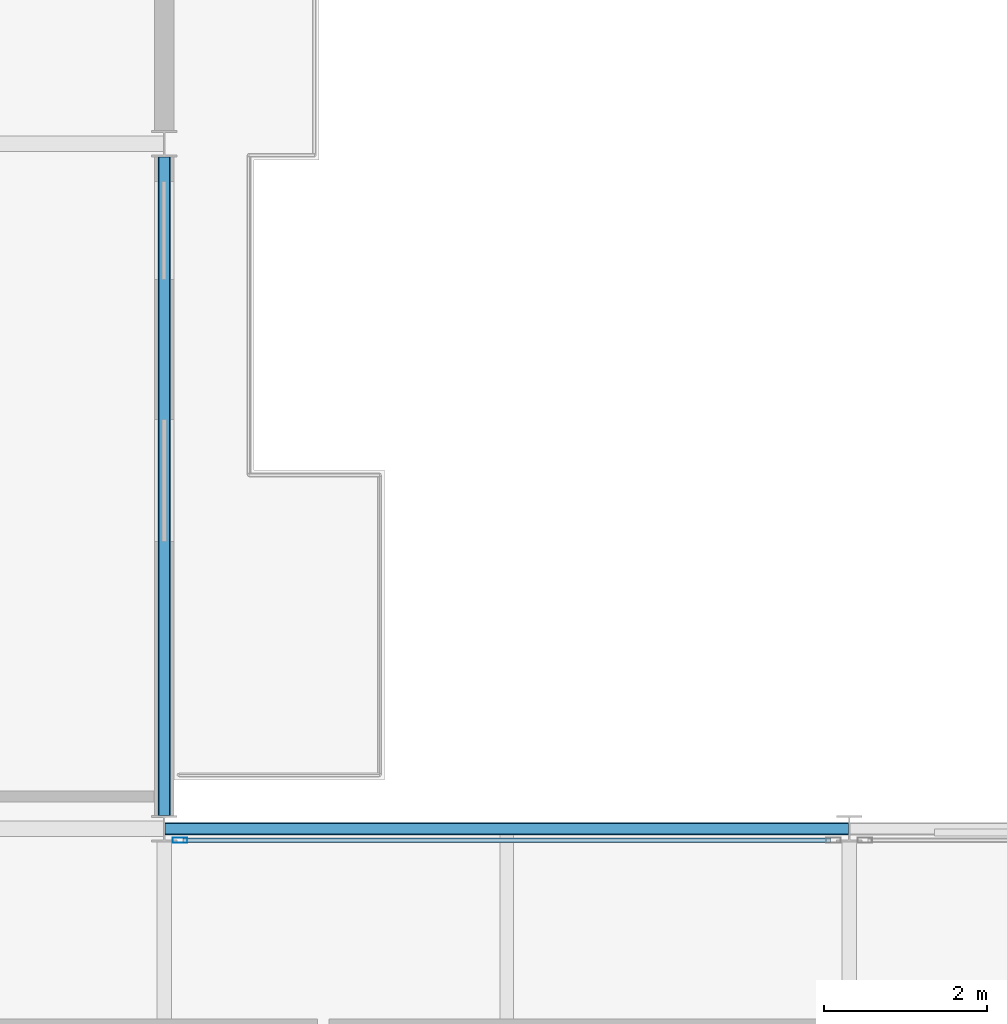
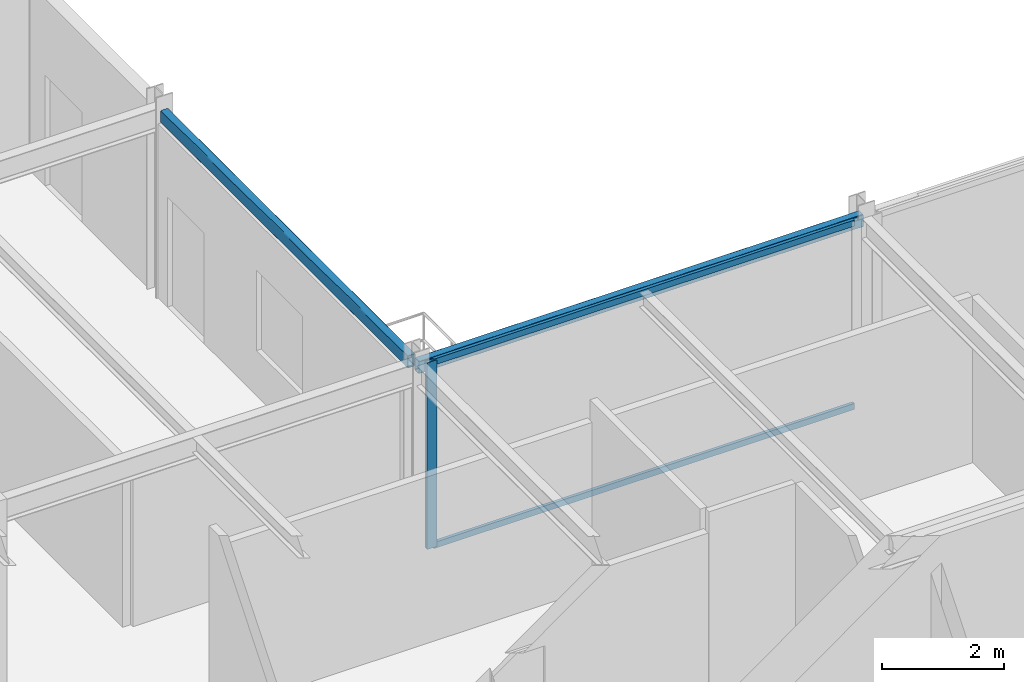
# One storey, part 13 of 26: 3 members, 2 beams, 1 element without a shape of its own.
"""IFC4 building model written with IfcOpenShell, lengths in metres."""

from ifc_helpers import new_model, si_unit, direction, frame, origin, origin_2d, place, context, subcontext, project, spatial, hollow_rectangle, extrude, material, layer, layer_set, material_profile, profile_set, type_object, element, aggregate, save


model = new_model("IFC4")

# Units and contexts
model_context = context("Model", 3, precision=1e-05, world=origin(), true_north=direction((0.0, 1.0)))
body_context = subcontext(model_context, "Body", "Model", "MODEL_VIEW")
ifc_project = project(units=[si_unit("LENGTHUNIT", "METRE"), si_unit("AREAUNIT", "SQUARE_METRE"), si_unit("VOLUMEUNIT", "CUBIC_METRE"), si_unit("PLANEANGLEUNIT", "RADIAN"), si_unit("MASSUNIT", "GRAM", prefix="KILO")], contexts=[model_context])

# Site, building, storey
site_placement = place(None, origin())
site = spatial("IfcSite", under=ifc_project, at=site_placement, CompositionType="ELEMENT")
building_placement = place(site_placement, origin())
building = spatial("IfcBuilding", under=site, at=building_placement, Name="Nerrivon Quay Data Exchange", CompositionType="ELEMENT")
storey_placement = place(building_placement, frame((0.0, 0.0, 262.199951171875)))
storey = spatial("IfcBuildingStorey", under=building, at=storey_placement, Name="L62", CompositionType="ELEMENT", Elevation=262.199951171875)

# Beams
ifc_material_1 = material(Name="Steel Grade C350L0 (350 MPa)", Category="steel")
ifc_material_profile_1 = material_profile(ifc_material_1, hollow_rectangle(XDim=0.14990234375, YDim=0.25, WallThickness=0.009033203125, InnerFilletRadius=0.013427734375, OuterFilletRadius=0.0224609375, at=origin_2d()), Name="250x150x9.0RHS")
ifc_profile_set_1 = profile_set([ifc_material_profile_1], Name="Steel Grade C350L0 (350 MPa)")
beam_type = type_object("IfcBeamType", Name="BM-SP4-250x150RHS", PredefinedType="SPANDREL", material=ifc_profile_set_1)
beam_1_placement = place(storey_placement, frame((25.2080078125, 25.199951171875, 3.60009765625), z_axis=(1.0, 0.0, 0.0), x_axis=(0.0, 1.0, 0.0)))
element("IfcBeam", 1, at=beam_1_placement, inside=storey, type_object=beam_type, Name="L62 EW Girder Y=25.2 (25.2..33.6)", PredefinedType="SPANDREL", context=body_context, shape_type="SweptSolid", body=[
    extrude(hollow_rectangle(XDim=0.14990234375, YDim=0.25, WallThickness=0.009033203125, InnerFilletRadius=0.013427734375, OuterFilletRadius=0.0224609375, at=origin_2d()), origin(), (0.0, 0.0, 1.0), 8.38427734375),
])
beam_2_placement = place(storey_placement, frame((25.199951171875, 25.363525390625, 3.60009765625), z_axis=(0.0, 1.0, 0.0), x_axis=(-1.0, 0.0, 0.0)))
element("IfcBeam", 2, at=beam_2_placement, inside=storey, type_object=beam_type, Name="L62 NS Girder X=25.2 (25.2..33.6)", PredefinedType="SPANDREL", context=body_context, shape_type="SweptSolid", body=[
    extrude(hollow_rectangle(XDim=0.14990234375, YDim=0.25, WallThickness=0.009033203125, InnerFilletRadius=0.013427734375, OuterFilletRadius=0.0224609375, at=origin_2d()), origin(), (0.0, 0.0, 1.0), 8.072998046875),
])

# Curtain wall, members
ifc_material_2 = material(Name="Anodised aluminium 6063-T6", Category="aluminium")
ifc_layer = layer(ifc_material_2, 0.195068359375)
ifc_layer_set = layer_set([ifc_layer], Name="Anodised aluminium 6063-T6")
curtain_wall_type = type_object("IfcCurtainWallType", Name="CW-SYS-06", PredefinedType="NOTDEFINED", material=ifc_layer_set)
curtain_wall_placement = place(storey_placement, origin())
curtain_wall = element("IfcCurtainWall", 3, at=curtain_wall_placement, inside=storey, type_object=curtain_wall_type, Name="L62 Unitised Curtain Wall 24", PredefinedType="NOTDEFINED")
ifc_material_profile_2 = material_profile(ifc_material_2, hollow_rectangle(XDim=0.06494140625, YDim=0.179931640625, WallThickness=0.00341796875, at=origin_2d()), Name="ALU-MULL-180x65")
ifc_profile_set_2 = profile_set([ifc_material_profile_2], Name="Anodised aluminium 6063-T6")
member_type_1 = type_object("IfcMemberType", Name="CWM-180x65", PredefinedType="MULLION", material=ifc_profile_set_2)
member_1_placement = place(storey_placement, frame((25.39306640625, 25.06005859375, 0.0), z_axis=(0.0, 0.0, 1.0), x_axis=(0.0, 1.0, 0.0)))
member_1 = element("IfcMember", 4, at=member_1_placement, type_object=member_type_1, Name="CW06 mullion 1", PredefinedType="MULLION", context=body_context, shape_type="SweptSolid", body=[
    extrude(hollow_rectangle(XDim=0.06494140625, YDim=0.179931640625, WallThickness=0.00341796875, at=origin_2d()), origin(), (0.0, 0.0, 1.0), 3.72509765625),
])
ifc_material_profile_3 = material_profile(ifc_material_2, hollow_rectangle(XDim=0.06005859375, YDim=0.1201171875, WallThickness=0.003173828125, at=origin_2d()), Name="ALU-TRAN-120x60")
ifc_profile_set_3 = profile_set([ifc_material_profile_3], Name="Anodised aluminium 6063-T6")
member_type_2 = type_object("IfcMemberType", Name="CWT-120x60", PredefinedType="USERDEFINED", material=ifc_profile_set_3)
member_2_placement = place(storey_placement, frame((25.430419921875, 25.06005859375, 0.032470703125), z_axis=(1.0, 0.0, 0.0), x_axis=(0.0, 1.0, 0.0)))
member_2 = element("IfcMember", 5, at=member_2_placement, type_object=member_type_2, Name="CW06 transom 1.1", ObjectType="TRANSOM", PredefinedType="USERDEFINED", context=body_context, shape_type="SweptSolid", body=[
    extrude(hollow_rectangle(XDim=0.06005859375, YDim=0.1201171875, WallThickness=0.003173828125, at=origin_2d()), origin(), (0.0, 0.0, 1.0), 7.93896484375),
])
member_3_placement = place(storey_placement, frame((25.430419921875, 25.06005859375, 3.692626953125), z_axis=(1.0, 0.0, 0.0), x_axis=(0.0, 1.0, 0.0)))
member_3 = element("IfcMember", 6, at=member_3_placement, type_object=member_type_2, Name="CW06 transom 1.2", ObjectType="TRANSOM", PredefinedType="USERDEFINED", context=body_context, shape_type="SweptSolid", body=[
    extrude(hollow_rectangle(XDim=0.06005859375, YDim=0.1201171875, WallThickness=0.003173828125, at=origin_2d()), origin(), (0.0, 0.0, 1.0), 7.93896484375),
])
aggregate(curtain_wall, [member_1, member_2, member_3])

save(model, "model.ifc")
